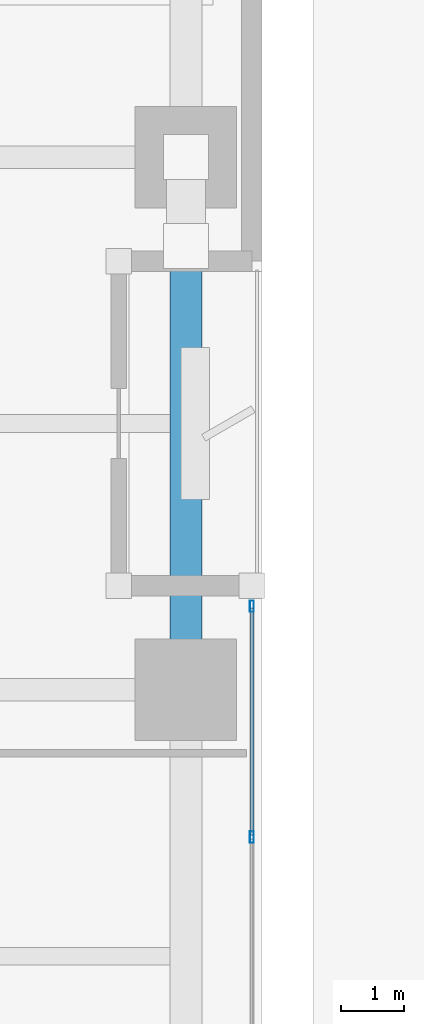
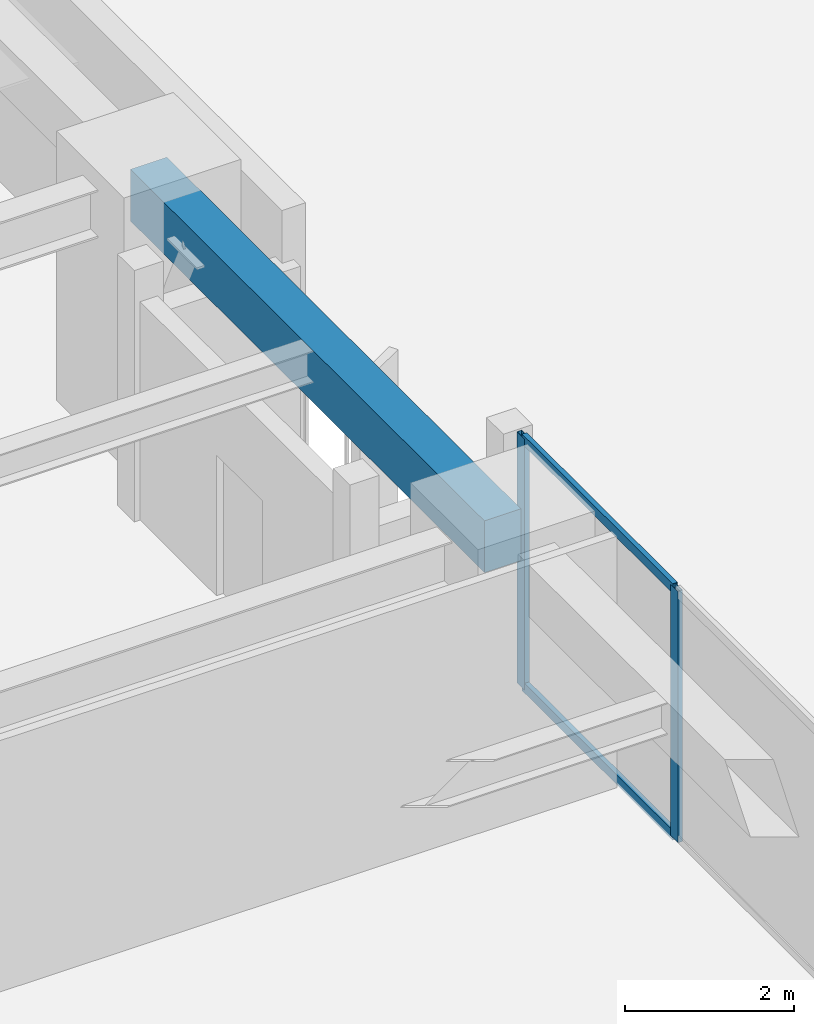
# One storey, part 20 of 38: 4 members, 1 beam, 1 element without a shape of its own.
"""IFC4 building model written with IfcOpenShell, lengths in metres."""

from ifc_helpers import new_model, si_unit, direction, frame, origin, origin_2d, place, context, subcontext, project, spatial, rectangle, hollow_rectangle, extrude, material, layer, layer_set, material_profile, profile_set, type_object, element, aggregate, save


model = new_model("IFC4")

# Units and contexts
model_context = context("Model", 3, precision=1e-05, world=origin(), true_north=direction((0.0, 1.0)))
body_context = subcontext(model_context, "Body", "Model", "MODEL_VIEW")
ifc_project = project(units=[si_unit("LENGTHUNIT", "METRE"), si_unit("AREAUNIT", "SQUARE_METRE"), si_unit("VOLUMEUNIT", "CUBIC_METRE"), si_unit("PLANEANGLEUNIT", "RADIAN"), si_unit("MASSUNIT", "GRAM", prefix="KILO")], contexts=[model_context])

# Site, building, storey
site_placement = place(None, origin())
site = spatial("IfcSite", under=ifc_project, at=site_placement, CompositionType="ELEMENT")
building_placement = place(site_placement, origin())
building = spatial("IfcBuilding", under=site, at=building_placement, Name="Kiyonajd Concourse Tower", CompositionType="ELEMENT")
storey_placement = place(building_placement, frame((0.0, 0.0, 21.60009765625)))
storey = spatial("IfcBuildingStorey", under=building, at=storey_placement, Name="L06", CompositionType="ELEMENT", Elevation=21.60009765625)

# Beam
ifc_material_1 = material(Name="Precast concrete C50/60", Category="concrete")
ifc_material_profile_1 = material_profile(ifc_material_1, rectangle(XDim=0.5, YDim=0.75, at=origin_2d()), Name="RCBM-500x750")
ifc_profile_set_1 = profile_set([ifc_material_profile_1], Name="Precast concrete C50/60")
beam_type = type_object("IfcBeamType", Name="BM-SPAN-RC", PredefinedType="SPANDREL", material=ifc_profile_set_1)
beam_placement = place(storey_placement, frame((78.0, 36.0, 3.264892578125), z_axis=(0.0, 1.0, 0.0), x_axis=(-1.0, 0.0, 0.0)))
element("IfcBeam", 1, at=beam_placement, inside=storey, type_object=beam_type, Name="L06 Perimeter Bundled Tube Spandrel", PredefinedType="SPANDREL", context=body_context, shape_type="SweptSolid", body=[
    extrude(rectangle(XDim=0.5, YDim=0.75, at=origin_2d()), origin(), (0.0, 0.0, 1.0), 8.39990234375),
])

# Curtain wall, members
ifc_material_2 = material(Name="Thermally Broken Anodised Aluminium", Category="aluminium")
ifc_layer = layer(ifc_material_2, 0.179931640625)
ifc_layer_set = layer_set([ifc_layer], Name="Thermally Broken Anodised Aluminium")
curtain_wall_type = type_object("IfcCurtainWallType", Name="CW-SYS-02", PredefinedType="NOTDEFINED", material=ifc_layer_set)
curtain_wall_placement = place(storey_placement, origin())
curtain_wall = element("IfcCurtainWall", 2, at=curtain_wall_placement, inside=storey, type_object=curtain_wall_type, Name="L06 Unitised Curtain Wall CW2", PredefinedType="NOTDEFINED")
ifc_material_profile_2 = material_profile(ifc_material_2, hollow_rectangle(XDim=0.06494140625, YDim=0.179931640625, WallThickness=0.00390625, at=origin_2d()), Name="MULL-65x180")
ifc_profile_set_2 = profile_set([ifc_material_profile_2], Name="Thermally Broken Anodised Aluminium")
member_type_1 = type_object("IfcMemberType", Name="MB-CW-MULL1", PredefinedType="MULLION", material=ifc_profile_set_2)
member_1_placement = place(storey_placement, frame((79.0400390625, 37.3173828125, 0.0), z_axis=(0.0, 0.0, 1.0), x_axis=(1.0, 0.0, 0.0)))
member_1 = element("IfcMember", 3, at=member_1_placement, type_object=member_type_1, Name="CW2 mullion 1", PredefinedType="MULLION", context=body_context, shape_type="SweptSolid", body=[
    extrude(hollow_rectangle(XDim=0.06494140625, YDim=0.179931640625, WallThickness=0.00390625, at=origin_2d()), origin(), (0.0, 0.0, 1.0), 3.639892578125),
])
member_2_placement = place(storey_placement, frame((79.0400390625, 33.6767578125, 0.0), z_axis=(0.0, 0.0, 1.0), x_axis=(1.0, 0.0, 0.0)))
member_2 = element("IfcMember", 4, at=member_2_placement, type_object=member_type_1, Name="CW2 mullion 2", PredefinedType="MULLION", context=body_context, shape_type="SweptSolid", body=[
    extrude(hollow_rectangle(XDim=0.06494140625, YDim=0.179931640625, WallThickness=0.00390625, at=origin_2d()), origin(), (0.0, 0.0, 1.0), 3.639892578125),
])
ifc_material_profile_3 = material_profile(ifc_material_2, hollow_rectangle(XDim=0.06494140625, YDim=0.139892578125, WallThickness=0.00390625, at=origin_2d()), Name="TRAN-65x140")
ifc_profile_set_3 = profile_set([ifc_material_profile_3], Name="Thermally Broken Anodised Aluminium")
member_type_2 = type_object("IfcMemberType", Name="MB-CW-TRAN1", PredefinedType="USERDEFINED", material=ifc_profile_set_3)
member_3_placement = place(storey_placement, frame((79.0400390625, 37.284912109375, 0.032470703125), z_axis=(0.0, -1.0, 0.0), x_axis=(1.0, 0.0, 0.0)))
member_3 = element("IfcMember", 5, at=member_3_placement, type_object=member_type_2, Name="CW2 transom 1.1", ObjectType="TRANSOM", PredefinedType="USERDEFINED", context=body_context, shape_type="SweptSolid", body=[
    extrude(hollow_rectangle(XDim=0.06494140625, YDim=0.139892578125, WallThickness=0.00390625, at=origin_2d()), origin(), (0.0, 0.0, 1.0), 3.57568359375),
])
member_4_placement = place(storey_placement, frame((79.0400390625, 37.284912109375, 3.607421875), z_axis=(0.0, -1.0, 0.0), x_axis=(1.0, 0.0, 0.0)))
member_4 = element("IfcMember", 6, at=member_4_placement, type_object=member_type_2, Name="CW2 transom 1.2", ObjectType="TRANSOM", PredefinedType="USERDEFINED", context=body_context, shape_type="SweptSolid", body=[
    extrude(hollow_rectangle(XDim=0.06494140625, YDim=0.139892578125, WallThickness=0.00390625, at=origin_2d()), origin(), (0.0, 0.0, 1.0), 3.57568359375),
])
aggregate(curtain_wall, [member_1, member_2, member_3, member_4])

save(model, "model.ifc")
